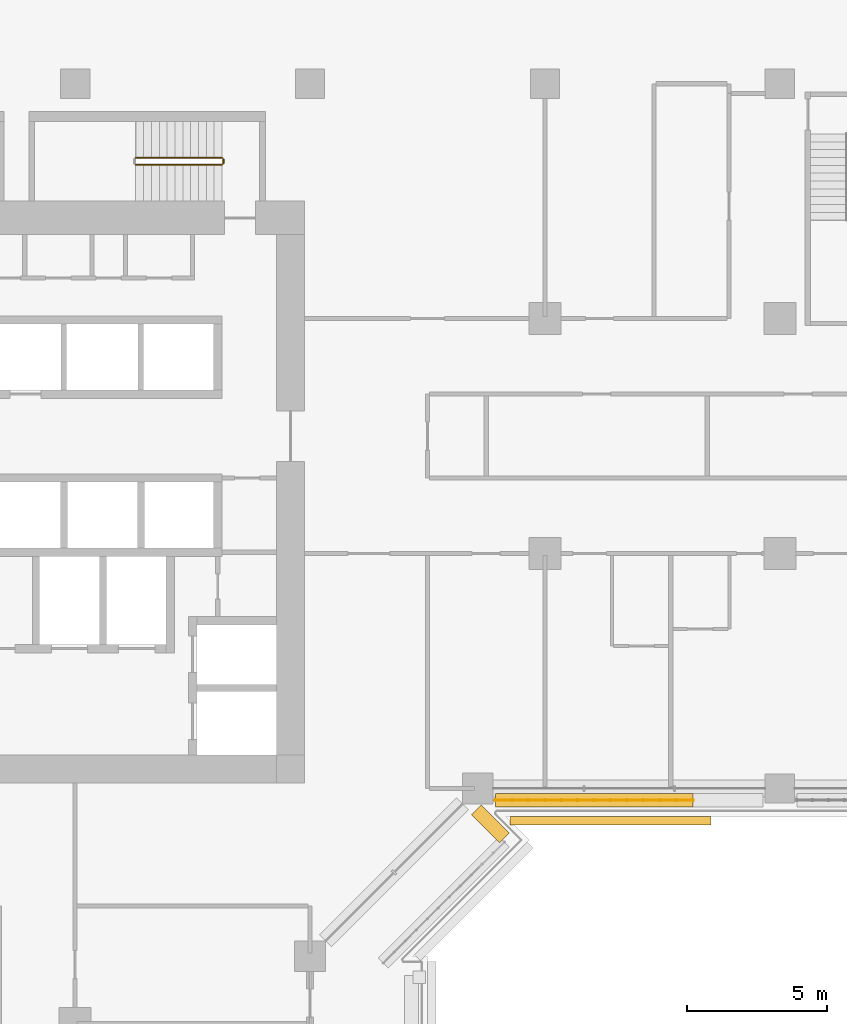
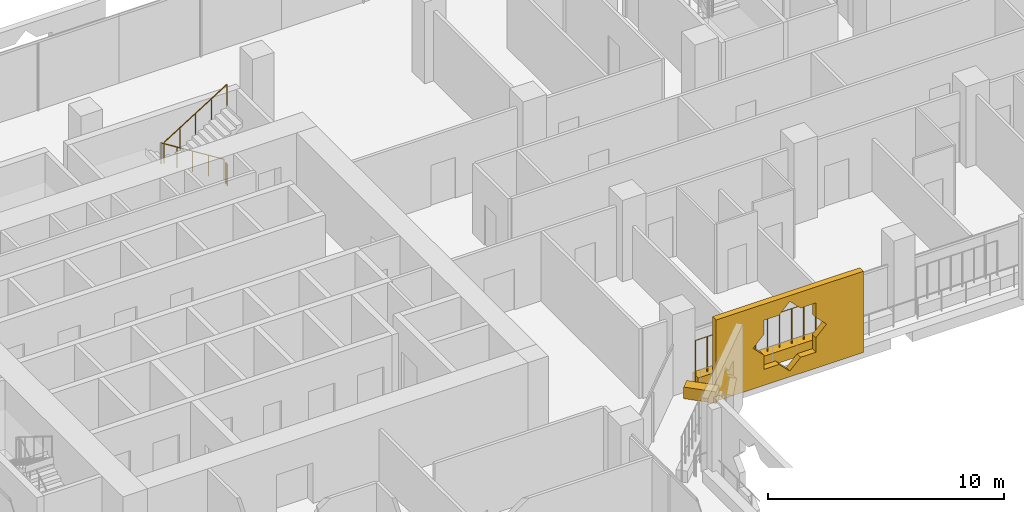
# One storey, part 22 of 25: 4 railings, 3 coverings.
"""IFC4 building model written with IfcOpenShell, lengths in metres."""

from ifc_helpers import new_model, si_unit, direction, frame, origin, origin_2d, place, context, subcontext, project, spatial, polyline, rectangle, circle, outline, extrude, material, material_profile, profile_set, type_object, element, save


model = new_model("IFC4")

# Units and contexts
model_context = context("Model", 3, precision=1e-05, world=origin(), true_north=direction((0.0, 1.0)))
body_context = subcontext(model_context, "Body", "Model", "MODEL_VIEW")
ifc_project = project(units=[si_unit("LENGTHUNIT", "METRE"), si_unit("AREAUNIT", "SQUARE_METRE"), si_unit("VOLUMEUNIT", "CUBIC_METRE"), si_unit("PLANEANGLEUNIT", "RADIAN"), si_unit("MASSUNIT", "GRAM", prefix="KILO")], contexts=[model_context])

# Site, building, storey
site_placement = place(None, origin())
site = spatial("IfcSite", under=ifc_project, at=site_placement, CompositionType="ELEMENT")
building_placement = place(site_placement, origin())
building = spatial("IfcBuilding", under=site, at=building_placement, Name="Kawkab Arch Medical Tower", CompositionType="ELEMENT")
storey_placement = place(building_placement, frame((0.0, 0.0, 132.39990234375)))
storey = spatial("IfcBuildingStorey", under=building, at=storey_placement, Name="L30", CompositionType="ELEMENT", Elevation=132.39990234375)

# Coverings
ifc_material_1 = material(Name="Bronze anodised aluminium mashrabiya panel, eight-point star pattern", Category="aluminium")
ifc_material_profile_1 = material_profile(ifc_material_1, outline(polyline([(-3.60009765625, -2.10009765625), (3.60009765625, -2.10009765625), (3.60009765625, 2.10009765625), (-3.60009765625, 2.10009765625), (-3.60009765625, -2.10009765625)]), holes=[polyline([(1.800048828125, 0.0), (1.272705078125, 0.527099609375), (1.272705078125, 1.272705078125), (0.527099609375, 1.272705078125), (0.0, 1.800048828125), (-0.527099609375, 1.272705078125), (-1.272705078125, 1.272705078125), (-1.272705078125, 0.527099609375), (-1.800048828125, 0.0), (-1.272705078125, -0.527099609375), (-1.272705078125, -1.272705078125), (-0.527099609375, -1.272705078125), (0.0, -1.800048828125), (0.527099609375, -1.272705078125), (1.272705078125, -1.272705078125), (1.272705078125, -0.527099609375), (1.800048828125, 0.0)])]), Name="Mashrabiya panel 7200x4200")
ifc_profile_set_1 = profile_set([ifc_material_profile_1], Name="Bronze anodised aluminium mashrabiya panel, eight-point star pattern")
covering_type_1 = type_object("IfcCoveringType", Name="Mashrabiya panel 7200 x 4200", PredefinedType="USERDEFINED", material=ifc_profile_set_1)
covering_1_placement = place(storey_placement, frame((35.944580078125, -26.199951171875, 1.7001953125), z_axis=(0.0, -1.0, 0.0), x_axis=(1.0, 0.0, 0.0)))
element("IfcCovering", 1, at=covering_1_placement, inside=storey, type_object=covering_type_1, Name="Mashrabiya panel L30.LOG-01-01.13", ObjectType="SCREEN", PredefinedType="USERDEFINED", context=body_context, shape_type="SweptSolid", body=[
    extrude(outline(polyline([(-3.60009765625, -2.10009765625), (3.60009765625, -2.10009765625), (3.60009765625, 2.10009765625), (-3.60009765625, 2.10009765625), (-3.60009765625, -2.10009765625)]), holes=[polyline([(1.800048828125, 0.0), (1.272705078125, 0.527099609375), (1.272705078125, 1.272705078125), (0.527099609375, 1.272705078125), (0.0, 1.800048828125), (-0.527099609375, 1.272705078125), (-1.272705078125, 1.272705078125), (-1.272705078125, 0.527099609375), (-1.800048828125, 0.0), (-1.272705078125, -0.527099609375), (-1.272705078125, -1.272705078125), (-0.527099609375, -1.272705078125), (0.0, -1.800048828125), (0.527099609375, -1.272705078125), (1.272705078125, -1.272705078125), (1.272705078125, -0.527099609375), (1.800048828125, 0.0)])]), origin(), (0.0, 0.0, 1.0), 0.300048828125),
])
ifc_material_2 = material(Name="Planting soil in a precast trough", Category="concrete")
ifc_material_profile_2 = material_profile(ifc_material_2, rectangle(XDim=0.5, YDim=0.60009765625, at=origin_2d()), Name="Trough 500x600")
ifc_profile_set_2 = profile_set([ifc_material_profile_2], Name="Planting soil in a precast trough")
covering_type_2 = type_object("IfcCoveringType", Name="Planter trough 500 x 600", PredefinedType="USERDEFINED", material=ifc_profile_set_2)
covering_2_placement = place(storey_placement, frame((38.89306640625, -25.6201171875, 0.300048828125), z_axis=(-1.0, 0.0, 0.0), x_axis=(0.0, -1.0, 0.0)))
element("IfcCovering", 2, at=covering_2_placement, inside=storey, type_object=covering_type_2, Name="Planter L30.LOG-01-01.41", ObjectType="PLANTER", PredefinedType="USERDEFINED", context=body_context, shape_type="SweptSolid", body=[
    extrude(rectangle(XDim=0.5, YDim=0.60009765625, at=origin_2d()), origin(), (0.0, 0.0, 1.0), 7.06298828125),
])
covering_3_placement = place(storey_placement, frame((31.14306640625, -25.962890625, 0.300048828125), z_axis=(0.707020805532, -0.707192746389, 0.0), x_axis=(0.707192746389, 0.707020805532, 0.0)))
element("IfcCovering", 3, at=covering_3_placement, inside=storey, type_object=covering_type_2, Name="Planter L30.LOG-01-01.42", ObjectType="PLANTER", PredefinedType="USERDEFINED", context=body_context, shape_type="SweptSolid", body=[
    extrude(rectangle(XDim=0.5, YDim=0.60009765625, at=origin_2d()), origin(), (0.0, 0.0, 1.0), 1.419921875),
])

# Railings
ifc_material_3 = material(Name="Bronze anodised aluminium trellis for climbing plants", Category="aluminium")
railing_type_1 = type_object("IfcRailingType", Name="Planting trellis 2400", PredefinedType="USERDEFINED", material=ifc_material_3)
railing_1_placement = place(storey_placement, frame((38.89306640625, -25.6201171875, 0.0)))
element("IfcRailing", 4, at=railing_1_placement, inside=storey, type_object=railing_type_1, Name="Planting trellis L30.LOG-01-01.41", ObjectType="TRELLIS", PredefinedType="USERDEFINED", context=body_context, shape_type="SweptSolid", body=[
    extrude(circle(Radius=0.01513671875, at=origin_2d()), frame((0.0, 0.0, 2.384765625), z_axis=(-1.0, 0.0, 0.0), x_axis=(0.0, -1.0, 0.0)), (0.0, 0.0, 1.0), 7.06298828125),
    extrude(circle(Radius=0.030029296875, at=origin_2d()), origin(), (0.0, 0.0, 1.0), 2.369873046875),
    extrude(circle(Radius=0.030029296875, at=origin_2d()), frame((-0.588623046875, 0.0, 0.0)), (0.0, 0.0, 1.0), 2.369873046875),
    extrude(circle(Radius=0.030029296875, at=origin_2d()), frame((-1.17724609375, 0.0, 0.0)), (0.0, 0.0, 1.0), 2.369873046875),
    extrude(circle(Radius=0.030029296875, at=origin_2d()), frame((-1.765625, 0.0, 0.0)), (0.0, 0.0, 1.0), 2.369873046875),
    extrude(circle(Radius=0.030029296875, at=origin_2d()), frame((-2.354248046875, 0.0, 0.0)), (0.0, 0.0, 1.0), 2.369873046875),
    extrude(circle(Radius=0.030029296875, at=origin_2d()), frame((-2.94287109375, 0.0, 0.0)), (0.0, 0.0, 1.0), 2.369873046875),
    extrude(circle(Radius=0.030029296875, at=origin_2d()), frame((-3.531494140625, 0.0, 0.0)), (0.0, 0.0, 1.0), 2.369873046875),
    extrude(circle(Radius=0.030029296875, at=origin_2d()), frame((-4.1201171875, 0.0, 0.0)), (0.0, 0.0, 1.0), 2.369873046875),
    extrude(circle(Radius=0.030029296875, at=origin_2d()), frame((-4.708740234375, 0.0, 0.0)), (0.0, 0.0, 1.0), 2.369873046875),
    extrude(circle(Radius=0.030029296875, at=origin_2d()), frame((-5.29736328125, 0.0, 0.0)), (0.0, 0.0, 1.0), 2.369873046875),
    extrude(circle(Radius=0.030029296875, at=origin_2d()), frame((-5.8857421875, 0.0, 0.0)), (0.0, 0.0, 1.0), 2.369873046875),
    extrude(circle(Radius=0.030029296875, at=origin_2d()), frame((-6.474365234375, 0.0, 0.0)), (0.0, 0.0, 1.0), 2.369873046875),
    extrude(circle(Radius=0.030029296875, at=origin_2d()), frame((-7.06298828125, 0.0, 0.0)), (0.0, 0.0, 1.0), 2.369873046875),
])
ifc_material_4 = material(Name="Stainless steel", Category="steel")
railing_type_2 = type_object("IfcRailingType", Name="Stair guard 1100", PredefinedType="GUARDRAIL", material=ifc_material_4)
railing_2_placement = place(storey_placement, frame((22.050048828125, -2.64990234375, 0.175048828125)))
element("IfcRailing", 5, at=railing_2_placement, inside=storey, type_object=railing_type_2, Name="L30 ST4 stair guard 1", PredefinedType="GUARDRAIL", context=body_context, shape_type="SweptSolid", body=[
    extrude(circle(Radius=0.02392578125, at=origin_2d()), frame((0.0, 0.0, 1.076171875), z_axis=(-0.847998304005, 0.0, 0.529998940003), x_axis=(0.0, -1.0, 0.0)), (0.0, 0.0, 1.0), 3.632080078125),
    extrude(circle(Radius=0.02099609375, at=origin_2d()), origin(), (0.0, 0.0, 1.0), 1.052001953125),
    extrude(circle(Radius=0.02099609375, at=origin_2d()), frame((-0.77001953125, 0.0, 0.481201171875)), (0.0, 0.0, 1.0), 1.052001953125),
    extrude(circle(Radius=0.02099609375, at=origin_2d()), frame((-1.5400390625, 0.0, 0.96240234375)), (0.0, 0.0, 1.0), 1.052001953125),
    extrude(circle(Radius=0.02099609375, at=origin_2d()), frame((-2.31005859375, 0.0, 1.44384765625)), (0.0, 0.0, 1.0), 1.052001953125),
    extrude(circle(Radius=0.02099609375, at=origin_2d()), frame((-3.080078125, 0.0, 1.925048828125)), (0.0, 0.0, 1.0), 1.052001953125),
])
railing_3_placement = place(storey_placement, frame((18.969970703125, -2.89990234375, 2.275146484375)))
element("IfcRailing", 6, at=railing_3_placement, inside=storey, type_object=railing_type_2, Name="L30 ST4 stair guard 3", PredefinedType="GUARDRAIL", context=body_context, shape_type="SweptSolid", body=[
    extrude(circle(Radius=0.02392578125, at=origin_2d()), frame((0.0, 0.0, 1.076171875), z_axis=(0.847998304005, 0.0, 0.529998940003), x_axis=(0.0, 1.0, 0.0)), (0.0, 0.0, 1.0), 3.632080078125),
    extrude(circle(Radius=0.02099609375, at=origin_2d()), origin(), (0.0, 0.0, 1.0), 1.052001953125),
    extrude(circle(Radius=0.02099609375, at=origin_2d()), frame((0.77001953125, 0.0, 0.481201171875)), (0.0, 0.0, 1.0), 1.052001953125),
    extrude(circle(Radius=0.02099609375, at=origin_2d()), frame((1.5400390625, 0.0, 0.96240234375)), (0.0, 0.0, 1.0), 1.052001953125),
    extrude(circle(Radius=0.02099609375, at=origin_2d()), frame((2.31005859375, 0.0, 1.44384765625)), (0.0, 0.0, 1.0), 1.052001953125),
    extrude(circle(Radius=0.02099609375, at=origin_2d()), frame((3.080078125, 0.0, 1.925048828125)), (0.0, 0.0, 1.0), 1.052001953125),
])
railing_4_placement = place(storey_placement, frame((22.10009765625, -2.699951171875, 0.0)))
element("IfcRailing", 7, at=railing_4_placement, inside=storey, type_object=railing_type_2, Name="L30 ST4 stair guard 4", PredefinedType="GUARDRAIL", context=body_context, shape_type="SweptSolid", body=[
    extrude(circle(Radius=0.02392578125, at=origin_2d()), frame((0.0, 0.0, 1.076171875), z_axis=(0.0, -1.0, 0.0), x_axis=(1.0, 0.0, 0.0)), (0.0, 0.0, 1.0), 0.150146484375),
    extrude(circle(Radius=0.02099609375, at=origin_2d()), origin(), (0.0, 0.0, 1.0), 1.052001953125),
    extrude(circle(Radius=0.02099609375, at=origin_2d()), frame((0.0, -0.150146484375, 0.0)), (0.0, 0.0, 1.0), 1.052001953125),
])

save(model, "model.ifc")
